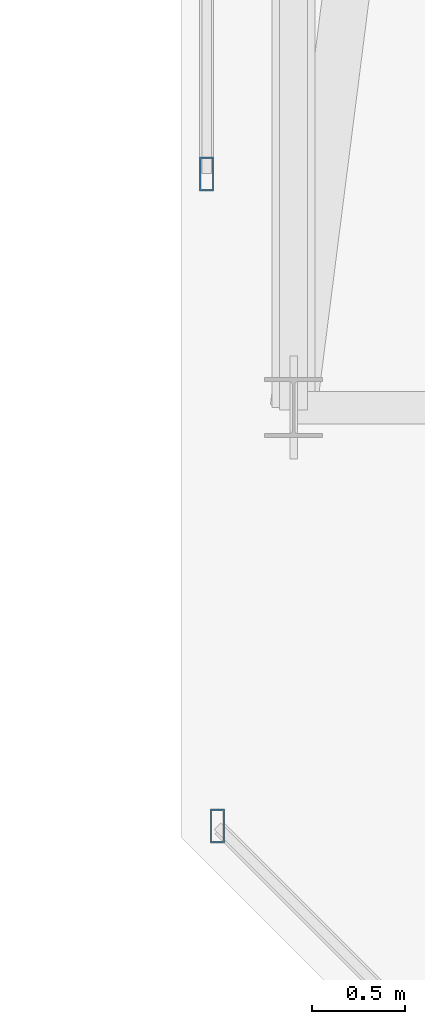
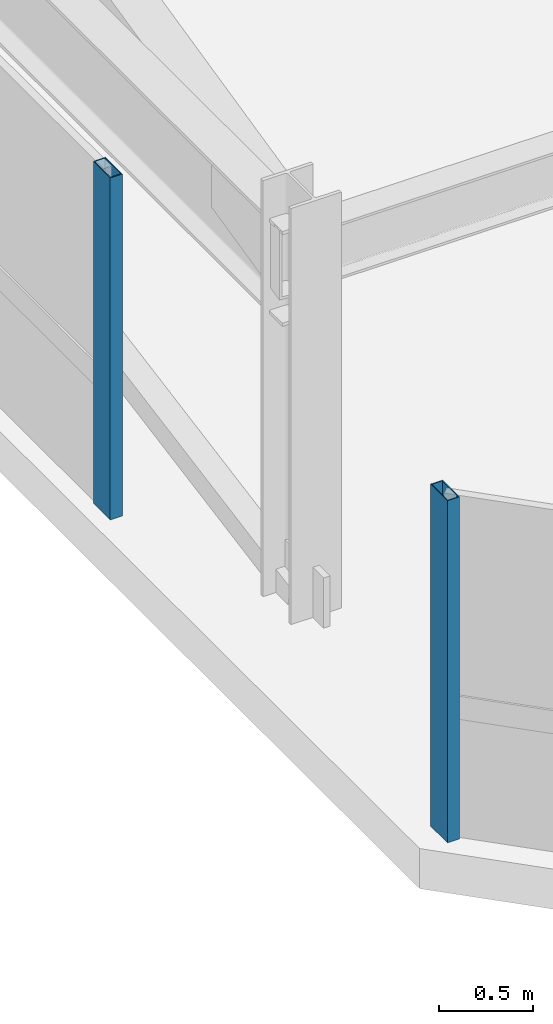
# One storey, part 19 of 44: 2 members, 2 elements without a shape of their own.
"""IFC4 building model written with IfcOpenShell, lengths in metres."""

from ifc_helpers import new_model, si_unit, direction, frame, origin, origin_2d, place, context, subcontext, project, spatial, hollow_rectangle, extrude, material, material_profile, profile_set, type_object, element, aggregate, save


model = new_model("IFC4")

# Units and contexts
model_context = context("Model", 3, precision=1e-05, world=origin(), true_north=direction((0.0, 1.0)))
body_context = subcontext(model_context, "Body", "Model", "MODEL_VIEW")
ifc_project = project(units=[si_unit("LENGTHUNIT", "METRE"), si_unit("AREAUNIT", "SQUARE_METRE"), si_unit("VOLUMEUNIT", "CUBIC_METRE"), si_unit("PLANEANGLEUNIT", "RADIAN"), si_unit("MASSUNIT", "GRAM", prefix="KILO")], contexts=[model_context])

# Site, building, storey
site_placement = place(None, origin())
site = spatial("IfcSite", under=ifc_project, at=site_placement, CompositionType="ELEMENT")
building_placement = place(site_placement, origin())
building = spatial("IfcBuilding", under=site, at=building_placement, Name="Thornwick Lancets Civic Towers", CompositionType="ELEMENT")
storey_placement = place(building_placement, frame((0.0, 0.0, 294.89990234375)))
storey = spatial("IfcBuildingStorey", under=building, at=storey_placement, Name="C06", CompositionType="ELEMENT", Elevation=294.89990234375)

# Curtain wall, member
ifc_material_1 = material(Name="Crown ring acoustic-louvre and glazing screen wall", Category="glass")
curtain_wall_type = type_object("IfcCurtainWallType", Name="CW_SYS_07", PredefinedType="NOTDEFINED", material=ifc_material_1)
curtain_wall_1_placement = place(storey_placement, origin())
curtain_wall_1 = element("IfcCurtainWall", 1, at=curtain_wall_1_placement, inside=storey, type_object=curtain_wall_type, Name="C06 Curtain Wall CW-C06-B-E6-S3", PredefinedType="NOTDEFINED")
ifc_material_2 = material(Name="Thermally broken bronze aluminium S355", Category="steel")
ifc_material_profile = material_profile(ifc_material_2, hollow_rectangle(XDim=0.074951171875, YDim=0.179931640625, WallThickness=0.006103515625, at=origin_2d()), Name="RHS 180x75x6")
ifc_profile_set = profile_set([ifc_material_profile], Name="Thermally broken bronze aluminium S355")
member_type = type_object("IfcMemberType", Name="CW_MUL_180", PredefinedType="MULLION", material=ifc_profile_set)
member_1_placement = place(storey_placement, frame((70.7353515625, 15.25, 0.0), z_axis=(0.0, 0.0, 1.0), x_axis=(1.0, 0.0, 0.0)))
member_1 = element("IfcMember", 2, at=member_1_placement, type_object=member_type, Name="CW-C06-B-E6-S3 Mullion 1", PredefinedType="MULLION", context=body_context, shape_type="SweptSolid", body=[
    extrude(hollow_rectangle(XDim=0.074951171875, YDim=0.179931640625, WallThickness=0.006103515625, at=origin_2d()), origin(), (0.0, 0.0, 1.0), 2.22021484375),
])
aggregate(curtain_wall_1, [member_1])

curtain_wall_2_placement = place(storey_placement, origin())
curtain_wall_2 = element("IfcCurtainWall", 3, at=curtain_wall_2_placement, inside=storey, type_object=curtain_wall_type, Name="C06 Curtain Wall CW-C06-B-E7", PredefinedType="NOTDEFINED")
member_2_placement = place(storey_placement, frame((70.7919921875, 11.761962890625, 0.0), z_axis=(0.0, 0.0, 1.0), x_axis=(1.0, 0.0, 0.0)))
member_2 = element("IfcMember", 4, at=member_2_placement, type_object=member_type, Name="CW-C06-B-E7 Mullion 0", PredefinedType="MULLION", context=body_context, shape_type="SweptSolid", body=[
    extrude(hollow_rectangle(XDim=0.074951171875, YDim=0.179931640625, WallThickness=0.006103515625, at=origin_2d()), origin(), (0.0, 0.0, 1.0), 2.22021484375),
])
aggregate(curtain_wall_2, [member_2])

save(model, "model.ifc")
